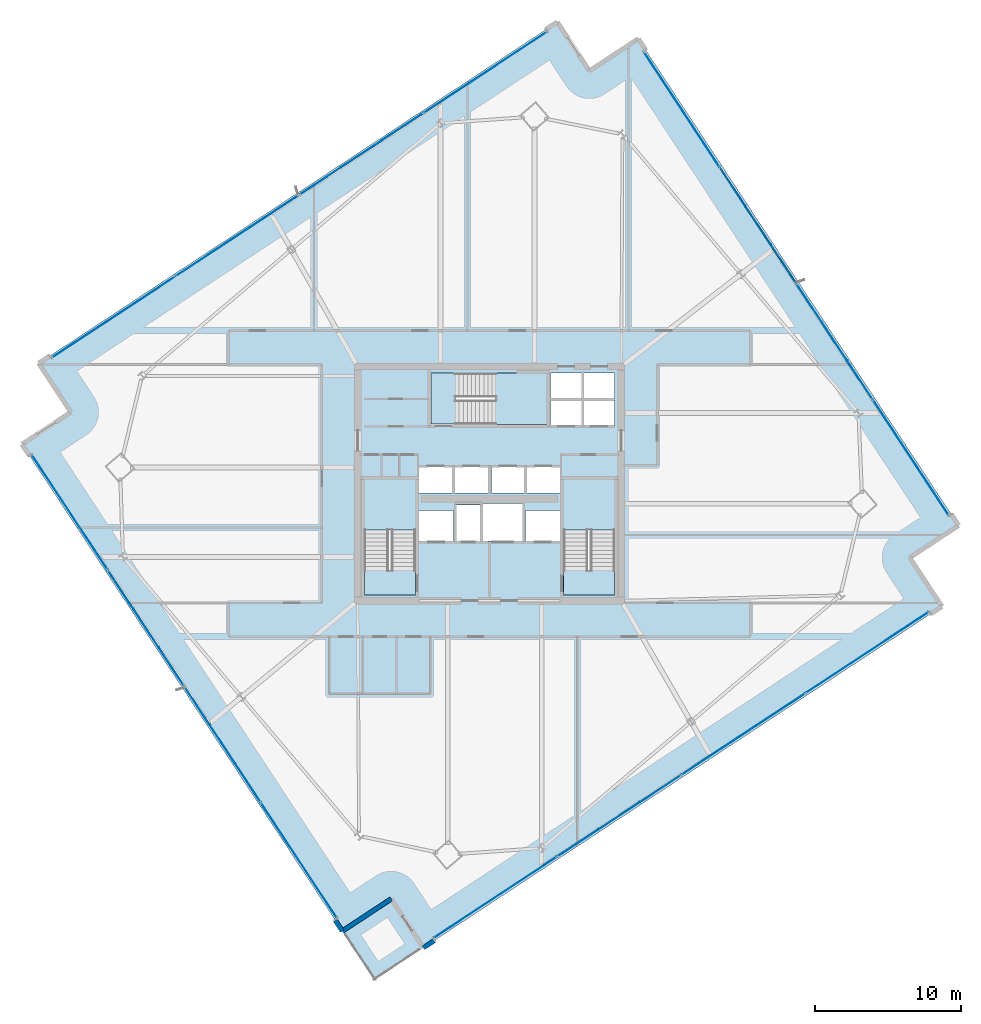
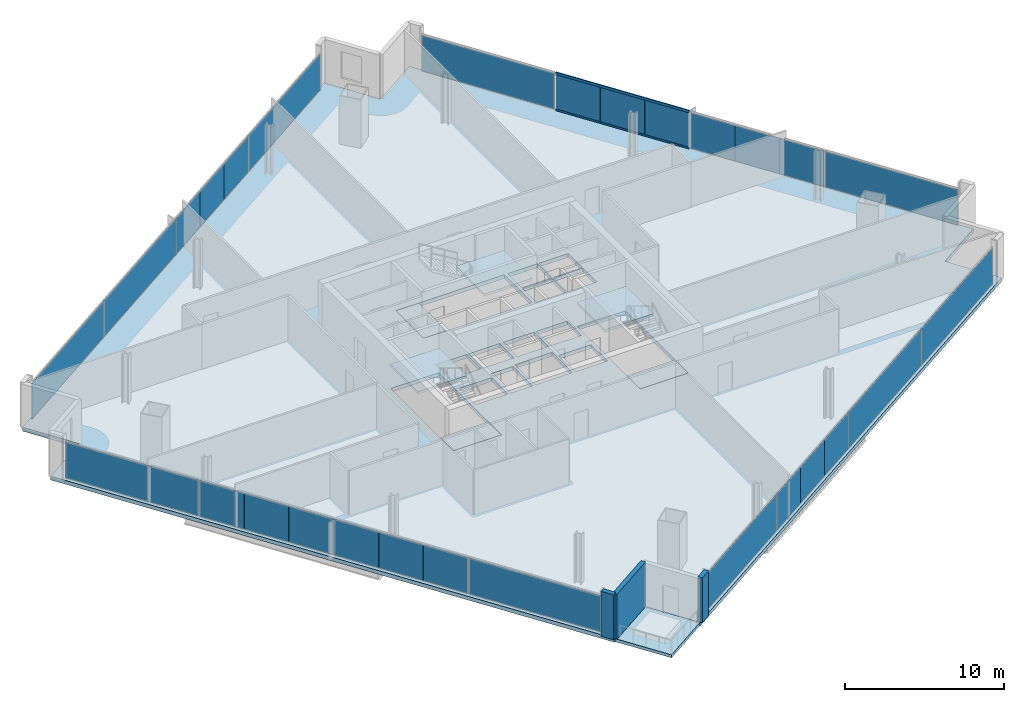
# One storey, part 20 of 29: 28 plates, 8 slabs, 3 walls, 2 members, 7 elements without a shape of their own.
"""IFC4 building model written with IfcOpenShell, lengths in metres."""

from ifc_helpers import new_model, si_unit, direction, frame, frame_2d, origin, origin_2d, place, context, subcontext, project, spatial, polyline, rectangle, hollow_rectangle, outline, extrude, source, transform, mapped, material, layer, layer_set, material_profile, profile_set, type_object, element, aggregate, save


model = new_model("IFC4")

# Units and contexts
model_context = context("Model", 3, precision=1e-05, world=origin(), true_north=direction((0.0, 1.0)))
body_context = subcontext(model_context, "Body", "Model", "MODEL_VIEW")
ifc_project = project(units=[si_unit("LENGTHUNIT", "METRE"), si_unit("AREAUNIT", "SQUARE_METRE"), si_unit("VOLUMEUNIT", "CUBIC_METRE"), si_unit("PLANEANGLEUNIT", "RADIAN"), si_unit("MASSUNIT", "GRAM", prefix="KILO")], contexts=[model_context])

# Site, building, storey
site_placement = place(None, origin())
site = spatial("IfcSite", under=ifc_project, at=site_placement, CompositionType="ELEMENT")
building_placement = place(site_placement, origin())
building = spatial("IfcBuilding", under=site, at=building_placement, Name="Haldenkirk Collegiate Tower", CompositionType="ELEMENT")
storey_placement = place(building_placement, frame((0.0, 0.0, 140.699951171875)))
storey = spatial("IfcBuildingStorey", under=building, at=storey_placement, Name="L34", CompositionType="ELEMENT", Elevation=140.699951171875)

# Curtain wall, members
ifc_material_1 = material(Name="Anodised architectural bronze aluminium", Category="aluminium")
curtain_wall_type_1 = type_object("IfcCurtainWallType", Name="CW-SYS1-CONVEX-LOW", PredefinedType="USERDEFINED", material=ifc_material_1)
curtain_wall_1_placement = place(storey_placement, origin())
curtain_wall_1 = element("IfcCurtainWall", 1, at=curtain_wall_1_placement, inside=storey, type_object=curtain_wall_type_1, Name="L34 Lower tower convex bronze-framed unitised curtain wall", ObjectType="UNITISED CURTAIN WALL", PredefinedType="USERDEFINED")
ifc_material_profile = material_profile(ifc_material_1, hollow_rectangle(XDim=0.080078125, YDim=0.179931640625, WallThickness=0.0048828125, at=origin_2d()), Name="CW-TRN-1A")
ifc_profile_set = profile_set([ifc_material_profile], Name="Anodised architectural bronze aluminium")
member_type = type_object("IfcMemberType", Name="CW-TRN-1A", PredefinedType="USERDEFINED", material=ifc_profile_set)
member_1_placement = place(storey_placement, frame((51.754150390625, 47.573486328125, 0.0400390625), z_axis=(0.549750250423, -0.835329074174, 0.0), x_axis=(0.835329074174, 0.549750250423, 0.0)))
member_1 = element("IfcMember", 2, at=member_1_placement, type_object=member_type, Name="CW-1A transom 2.1", ObjectType="TRANSOM", PredefinedType="USERDEFINED", context=body_context, shape_type="SweptSolid", body=[
    extrude(hollow_rectangle(XDim=0.080078125, YDim=0.179931640625, WallThickness=0.0048828125, at=origin_2d()), origin(), (0.0, 0.0, 1.0), 9.420166015625),
])
member_2_placement = place(storey_placement, frame((51.754150390625, 47.573486328125, 2.87109375), z_axis=(0.549750250423, -0.835329074174, 0.0), x_axis=(0.835329074174, 0.549750250423, 0.0)))
member_2 = element("IfcMember", 3, at=member_2_placement, type_object=member_type, Name="CW-1A transom 2.2", ObjectType="TRANSOM", PredefinedType="USERDEFINED", context=body_context, shape_type="SweptSolid", body=[
    extrude(hollow_rectangle(XDim=0.080078125, YDim=0.179931640625, WallThickness=0.0048828125, at=origin_2d()), origin(), (0.0, 0.0, 1.0), 9.420166015625),
])

# Slab
ifc_material_2 = material(Name="Concrete f'c 40 MPa", Category="concrete")
ifc_layer_1 = layer(ifc_material_2, 0.2900390625)
ifc_layer_set_1 = layer_set([ifc_layer_1], Name="Concrete f'c 40 MPa")
slab_type_1 = type_object("IfcSlabType", Name="SLB-FLR-290", PredefinedType="FLOOR", material=ifc_layer_set_1)
slab_1_placement = place(storey_placement, frame((0.0, 0.0, -0.2900390625)))
element("IfcSlab", 4, at=slab_1_placement, inside=storey, type_object=slab_type_1, Name="L34 composite structural floor slab", PredefinedType="FLOOR", context=body_context, shape_type="SweptSolid", body=[
    extrude(outline(polyline([(31.485107421875, -5.70263671875), (66.903076171875, 17.60693359375), (64.7041015625, 20.9482421875), (68.04541015625, 23.147216796875), (46.165283203125, 56.393310546875), (42.823974609375, 54.194091796875), (40.625, 57.535400390625), (5.20703125, 34.22607421875), (7.406005859375, 30.884765625), (4.064697265625, 28.685791015625), (25.94482421875, -4.560302734375), (29.2861328125, -2.361328125), (31.485107421875, -5.70263671875)]), holes=[polyline([(27.449951171875, 18.39990234375), (30.949951171875, 18.39990234375), (30.949951171875, 26.300048828125), (27.449951171875, 26.300048828125), (27.449951171875, 18.39990234375)]), polyline([(41.050048828125, 18.39990234375), (44.550048828125, 18.39990234375), (44.550048828125, 26.300048828125), (41.050048828125, 26.300048828125), (41.050048828125, 18.39990234375)]), polyline([(32.0, 30.050048828125), (39.89990234375, 30.050048828125), (39.89990234375, 33.550048828125), (32.0, 33.550048828125), (32.0, 30.050048828125)]), polyline([(33.75, 22.10009765625), (35.35009765625, 22.10009765625), (35.35009765625, 24.550048828125), (33.75, 24.550048828125), (33.75, 22.10009765625)]), polyline([(40.14990234375, 29.949951171875), (42.320068359375, 29.949951171875), (42.320068359375, 31.699951171875), (40.14990234375, 31.699951171875), (40.14990234375, 29.949951171875)]), polyline([(42.419921875, 29.949951171875), (44.550048828125, 29.949951171875), (44.550048828125, 31.699951171875), (42.419921875, 31.699951171875), (42.419921875, 29.949951171875)]), polyline([(40.14990234375, 31.800048828125), (42.320068359375, 31.800048828125), (42.320068359375, 33.550048828125), (40.14990234375, 33.550048828125), (40.14990234375, 31.800048828125)]), polyline([(42.419921875, 31.800048828125), (44.550048828125, 31.800048828125), (44.550048828125, 33.550048828125), (42.419921875, 33.550048828125), (42.419921875, 31.800048828125)]), polyline([(31.199951171875, 25.35009765625), (33.47998046875, 25.35009765625), (33.47998046875, 27.14990234375), (31.199951171875, 27.14990234375), (31.199951171875, 25.35009765625)]), polyline([(33.60009765625, 25.35009765625), (35.8798828125, 25.35009765625), (35.8798828125, 27.14990234375), (33.60009765625, 27.14990234375), (33.60009765625, 25.35009765625)]), polyline([(36.1201171875, 25.35009765625), (38.39990234375, 25.35009765625), (38.39990234375, 27.14990234375), (36.1201171875, 27.14990234375), (36.1201171875, 25.35009765625)]), polyline([(38.52001953125, 25.35009765625), (40.800048828125, 25.35009765625), (40.800048828125, 27.14990234375), (38.52001953125, 27.14990234375), (38.52001953125, 25.35009765625)]), polyline([(31.199951171875, 22.10009765625), (33.550048828125, 22.10009765625), (33.550048828125, 24.14990234375), (31.199951171875, 24.14990234375), (31.199951171875, 22.10009765625)]), polyline([(38.449951171875, 22.10009765625), (40.800048828125, 22.10009765625), (40.800048828125, 24.14990234375), (38.449951171875, 24.14990234375), (38.449951171875, 22.10009765625)]), polyline([(35.550048828125, 22.10009765625), (38.25, 22.10009765625), (38.25, 24.64990234375), (35.550048828125, 24.64990234375), (35.550048828125, 22.10009765625)])]), origin(), (0.0, 0.0, 1.0), 0.2900390625),
])

# Stair, slab
stair_type = type_object("IfcStairType", Name="STR-DOGLEG-1650", PredefinedType="HALF_TURN_STAIR", material=ifc_material_2)
stair_1_placement = place(storey_placement, origin())
stair_1 = element("IfcStair", 5, at=stair_1_placement, inside=storey, type_object=stair_type, Name="L34 Core Exit Stair ST-1", PredefinedType="HALF_TURN_STAIR")
ifc_layer_2 = layer(ifc_material_2, 0.199951171875)
ifc_layer_set_2 = layer_set([ifc_layer_2], Name="Concrete f'c 40 MPa")
slab_type_2 = type_object("IfcSlabType", Name="SLB-LANDING-200", PredefinedType="LANDING", material=ifc_layer_set_2)
slab_2_placement = place(storey_placement, frame((0.0, 0.0, 1.675048828125)))
slab_2 = element("IfcSlab", 6, at=slab_2_placement, type_object=slab_type_2, Name="ST-1 landing 1", PredefinedType="LANDING", context=body_context, shape_type="SweptSolid", body=[
    extrude(outline(polyline([(30.97509765625, 22.824951171875), (27.425048828125, 22.824951171875), (27.425048828125, 26.324951171875), (30.97509765625, 26.324951171875), (30.97509765625, 22.824951171875)])), origin(), (0.0, 0.0, 1.0), 0.199951171875),
])
aggregate(stair_1, [slab_2])

stair_2_placement = place(storey_placement, origin())
stair_2 = element("IfcStair", 7, at=stair_2_placement, inside=storey, type_object=stair_type, Name="L34 Core Exit Stair ST-2", PredefinedType="HALF_TURN_STAIR")
slab_3_placement = place(storey_placement, frame((0.0, 0.0, 1.675048828125)))
slab_3 = element("IfcSlab", 8, at=slab_3_placement, type_object=slab_type_2, Name="ST-2 landing 1", PredefinedType="LANDING", context=body_context, shape_type="SweptSolid", body=[
    extrude(outline(polyline([(44.574951171875, 22.824951171875), (41.02490234375, 22.824951171875), (41.02490234375, 26.324951171875), (44.574951171875, 26.324951171875), (44.574951171875, 22.824951171875)])), origin(), (0.0, 0.0, 1.0), 0.199951171875),
])
aggregate(stair_2, [slab_3])

stair_3_placement = place(storey_placement, origin())
stair_3 = element("IfcStair", 9, at=stair_3_placement, inside=storey, type_object=stair_type, Name="L34 Core Exit Stair ST-3", PredefinedType="HALF_TURN_STAIR")
slab_4_placement = place(storey_placement, frame((0.0, 0.0, 1.675048828125)))
slab_4 = element("IfcSlab", 10, at=slab_4_placement, type_object=slab_type_2, Name="ST-3 landing 1", PredefinedType="LANDING", context=body_context, shape_type="SweptSolid", body=[
    extrude(outline(polyline([(36.425048828125, 30.02490234375), (36.425048828125, 33.574951171875), (39.925048828125, 33.574951171875), (39.925048828125, 30.02490234375), (36.425048828125, 30.02490234375)])), origin(), (0.0, 0.0, 1.0), 0.199951171875),
])
aggregate(stair_3, [slab_4])

# Slabs
ifc_layer_3 = layer(ifc_material_2, 0.25)
ifc_layer_set_3 = layer_set([ifc_layer_3], Name="Concrete f'c 40 MPa")
slab_type_3 = type_object("IfcSlabType", Name="SLB-STAIRLAND-250", PredefinedType="LANDING", material=ifc_layer_set_3)
slab_5_placement = place(storey_placement, frame((0.0, 0.0, -0.25)))
element("IfcSlab", 11, at=slab_5_placement, inside=storey, type_object=slab_type_3, Name="L34 stair ST1 structural floor landing slab", PredefinedType="LANDING", context=body_context, shape_type="SweptSolid", body=[
    extrude(outline(polyline([(27.4599609375, 18.409912109375), (30.93994140625, 18.409912109375), (30.93994140625, 20.080078125), (27.4599609375, 20.080078125), (27.4599609375, 18.409912109375)])), origin(), (0.0, 0.0, 1.0), 0.25),
])
slab_6_placement = place(storey_placement, frame((0.0, 0.0, -0.25)))
element("IfcSlab", 12, at=slab_6_placement, inside=storey, type_object=slab_type_3, Name="L34 stair ST2 structural floor landing slab", PredefinedType="LANDING", context=body_context, shape_type="SweptSolid", body=[
    extrude(outline(polyline([(41.06005859375, 18.409912109375), (44.5400390625, 18.409912109375), (44.5400390625, 20.080078125), (41.06005859375, 20.080078125), (41.06005859375, 18.409912109375)])), origin(), (0.0, 0.0, 1.0), 0.25),
])
slab_7_placement = place(storey_placement, frame((0.0, 0.0, -0.25)))
element("IfcSlab", 13, at=slab_7_placement, inside=storey, type_object=slab_type_3, Name="L34 stair ST3 structural floor landing slab", PredefinedType="LANDING", context=body_context, shape_type="SweptSolid", body=[
    extrude(outline(polyline([(32.010009765625, 30.06005859375), (33.679931640625, 30.06005859375), (33.679931640625, 33.5400390625), (32.010009765625, 33.5400390625), (32.010009765625, 30.06005859375)])), origin(), (0.0, 0.0, 1.0), 0.25),
])
ifc_layer_4 = layer(ifc_material_2, 0.22998046875)
ifc_layer_set_4 = layer_set([ifc_layer_4], Name="Concrete f'c 40 MPa")
slab_type_4 = type_object("IfcSlabType", Name="SLB-TERR-SPIRAL-230", PredefinedType="FLOOR", material=ifc_layer_set_4)
slab_8_placement = place(storey_placement, frame((0.0, 0.0, -0.22998046875)))
element("IfcSlab", 14, at=slab_8_placement, inside=storey, type_object=slab_type_4, Name="L34 spiralling corner terrace slab", PredefinedType="FLOOR", context=body_context, shape_type="SweptSolid", body=[
    extrude(outline(polyline([(28.143798828125, -7.901611328125), (31.485107421875, -5.70263671875), (29.2861328125, -2.361328125), (25.94482421875, -4.560302734375), (28.143798828125, -7.901611328125)])), origin(), (0.0, 0.0, 1.0), 0.22998046875),
])

# Curtain wall, plates
curtain_wall_type_2 = type_object("IfcCurtainWallType", Name="CW-SYS2-CONCAVE", PredefinedType="USERDEFINED", material=ifc_material_1)
curtain_wall_2_placement = place(storey_placement, origin())
curtain_wall_2 = element("IfcCurtainWall", 15, at=curtain_wall_2_placement, inside=storey, type_object=curtain_wall_type_2, Name="L34 South concave recessed bronze-anodised curtain wall", ObjectType="UNITISED CURTAIN WALL", PredefinedType="USERDEFINED")
ifc_material_3 = material(Name="Low-E argon triple insulating glass", Category="glass")
ifc_layer_5 = layer(ifc_material_3, 0.0419921875)
ifc_layer_set_5 = layer_set([ifc_layer_5], Name="Low-E argon triple insulating glass")
plate_type_1 = type_object("IfcPlateType", Name="CW-PNL-02", PredefinedType="CURTAIN_PANEL", material=ifc_layer_set_5)
shared_shape_1 = source(origin(), body_context, "Body", "SweptSolid", [
    extrude(rectangle(XDim=10.03759765625, YDim=0.0419921875, at=origin_2d()), origin(), (0.0, 0.0, 1.0), 2.760986328125),
])
plate_1_placement = place(storey_placement, frame((61.79736328125, 14.462158203125, 0.0751953125), z_axis=(0.0, 0.0, 1.0), x_axis=(-0.835328173925, -0.549751618322, 0.0)))
plate_1 = element("IfcPlate", 16, at=plate_1_placement, type_object=plate_type_1, Name="CW-02 panel 1.1", PredefinedType="CURTAIN_PANEL", context=body_context, shape_type="MappedRepresentation", body=[
    mapped(shared_shape_1, transform((0.0, 0.0, 0.0), x_axis=(1.0, 0.0, 0.0), y_axis=(0.0, 1.0, 0.0), z_axis=(0.0, 0.0, 1.0), scale=1.0)),
])
plate_2_placement = place(storey_placement, frame((36.392822265625, -2.257080078125, 0.0751953125), z_axis=(0.0, 0.0, 1.0), x_axis=(-0.835328173925, -0.549751618322, 0.0)))
plate_2 = element("IfcPlate", 17, at=plate_2_placement, type_object=plate_type_1, Name="CW-02 panel 4.1", PredefinedType="CURTAIN_PANEL", context=body_context, shape_type="MappedRepresentation", body=[
    mapped(shared_shape_1, transform((0.0, 0.0, 0.0), x_axis=(1.0, 0.0, 0.0), y_axis=(0.0, 1.0, 0.0), z_axis=(0.0, 0.0, 1.0), scale=1.0)),
])
shared_shape_2 = source(origin(), body_context, "Body", "SweptSolid", [
    extrude(rectangle(XDim=10.074951171875, YDim=0.0419921875, at=origin_2d()), origin(), (0.0, 0.0, 1.0), 2.760986328125),
])
plate_3_placement = place(storey_placement, frame((53.334228515625, 8.892578125, 0.0751953125), z_axis=(0.0, 0.0, 1.0), x_axis=(-0.835328173925, -0.549751618322, 0.0)))
plate_3 = element("IfcPlate", 18, at=plate_3_placement, type_object=plate_type_1, Name="CW-02 panel 2.1", PredefinedType="CURTAIN_PANEL", context=body_context, shape_type="MappedRepresentation", body=[
    mapped(shared_shape_2, transform((0.0, 0.0, 0.0), x_axis=(1.0, 0.0, 0.0), y_axis=(0.0, 1.0, 0.0), z_axis=(0.0, 0.0, 1.0), scale=1.0)),
])
ifc_material_4 = material(Name="Bronze-anodised insulated aluminium spandrel panel", Category="aluminium")
ifc_layer_6 = layer(ifc_material_4, 0.0419921875)
ifc_layer_set_6 = layer_set([ifc_layer_6], Name="Bronze-anodised insulated aluminium spandrel panel")
plate_type_2 = type_object("IfcPlateType", Name="CW-SPD-02", PredefinedType="CURTAIN_PANEL", material=ifc_layer_set_6)
shared_shape_3 = source(origin(), body_context, "Body", "SweptSolid", [
    extrude(rectangle(XDim=3.345703125, YDim=0.0419921875, at=origin_2d()), origin(), (0.0, 0.0, 1.0), 2.760986328125),
])
plate_4_placement = place(storey_placement, frame((47.666259765625, 5.162109375, 0.0751953125), z_axis=(0.0, 0.0, 1.0), x_axis=(-0.835328173925, -0.549751618322, 0.0)))
plate_4 = element("IfcPlate", 19, at=plate_4_placement, type_object=plate_type_2, Name="CW-02 spandrel panel 3.1a", PredefinedType="CURTAIN_PANEL", context=body_context, shape_type="MappedRepresentation", body=[
    mapped(shared_shape_3, transform((0.0, 0.0, 0.0), x_axis=(1.0, 0.0, 0.0), y_axis=(0.0, 1.0, 0.0), z_axis=(0.0, 0.0, 1.0), scale=1.0)),
])
plate_5_placement = place(storey_placement, frame((42.045166015625, 1.462890625, 0.0751953125), z_axis=(0.0, 0.0, 1.0), x_axis=(-0.835328173925, -0.549751618322, 0.0)))
plate_5 = element("IfcPlate", 20, at=plate_5_placement, type_object=plate_type_2, Name="CW-02 spandrel panel 3.1c", PredefinedType="CURTAIN_PANEL", context=body_context, shape_type="MappedRepresentation", body=[
    mapped(shared_shape_3, transform((0.0, 0.0, 0.0), x_axis=(1.0, 0.0, 0.0), y_axis=(0.0, 1.0, 0.0), z_axis=(0.0, 0.0, 1.0), scale=1.0)),
])
shared_shape_4 = source(origin(), body_context, "Body", "SweptSolid", [
    extrude(rectangle(XDim=3.333251953125, YDim=0.0419921875, at=origin_2d()), origin(), (0.0, 0.0, 1.0), 2.760986328125),
])
plate_6_placement = place(storey_placement, frame((44.855712890625, 3.3125, 0.0751953125), z_axis=(0.0, 0.0, 1.0), x_axis=(-0.835328173925, -0.549751618322, 0.0)))
plate_6 = element("IfcPlate", 21, at=plate_6_placement, type_object=plate_type_2, Name="CW-02 spandrel panel 3.1b", PredefinedType="CURTAIN_PANEL", context=body_context, shape_type="MappedRepresentation", body=[
    mapped(shared_shape_4, transform((0.0, 0.0, 0.0), x_axis=(1.0, 0.0, 0.0), y_axis=(0.0, 1.0, 0.0), z_axis=(0.0, 0.0, 1.0), scale=1.0)),
])
aggregate(curtain_wall_2, [plate_1, plate_3, plate_4, plate_6, plate_5, plate_2])

# Plate
ifc_layer_7 = layer(ifc_material_3, 0.0439453125)
ifc_layer_set_7 = layer_set([ifc_layer_7], Name="Low-E argon triple insulating glass")
plate_type_3 = type_object("IfcPlateType", Name="CW-PNL-1A", PredefinedType="CURTAIN_PANEL", material=ifc_layer_set_7)
shared_shape_5 = source(origin(), body_context, "Body", "SweptSolid", [
    extrude(rectangle(XDim=9.3798828125, YDim=0.0439453125, at=origin_2d()), origin(), (0.0, 0.0, 1.0), 2.7509765625),
])
plate_7_placement = place(storey_placement, frame((49.1318359375, 51.557861328125, 0.080078125), z_axis=(0.0, 0.0, 1.0), x_axis=(0.549751342395, -0.835328355519, 0.0)))
plate_7 = element("IfcPlate", 22, at=plate_7_placement, type_object=plate_type_3, Name="CW-1A panel 1.1", PredefinedType="CURTAIN_PANEL", context=body_context, shape_type="MappedRepresentation", body=[
    mapped(shared_shape_5, transform((0.0, 0.0, 0.0), x_axis=(1.0, 0.0, 0.0), y_axis=(0.0, 1.0, 0.0), z_axis=(0.0, 0.0, 1.0), scale=1.0)),
])

plate_8_placement = place(storey_placement, frame((64.77783203125, 27.784423828125, 0.080078125), z_axis=(0.0, 0.0, 1.0), x_axis=(0.549751342395, -0.835328355519, 0.0)))
plate_8 = element("IfcPlate", 23, at=plate_8_placement, type_object=plate_type_3, Name="CW-1A panel 4.1", PredefinedType="CURTAIN_PANEL", context=body_context, shape_type="MappedRepresentation", body=[
    mapped(shared_shape_5, transform((0.0, 0.0, 0.0), x_axis=(1.0, 0.0, 0.0), y_axis=(0.0, 1.0, 0.0), z_axis=(0.0, 0.0, 1.0), scale=1.0)),
])

# Curtain wall, plates
curtain_wall_3_placement = place(storey_placement, origin())
curtain_wall_3 = element("IfcCurtainWall", 24, at=curtain_wall_3_placement, inside=storey, type_object=curtain_wall_type_1, Name="L34 Lower tower convex bronze-framed unitised curtain wall", ObjectType="UNITISED CURTAIN WALL", PredefinedType="USERDEFINED")
plate_9_placement = place(storey_placement, frame((22.97802734375, 0.27490234375, 0.080078125), z_axis=(0.0, 0.0, 1.0), x_axis=(-0.549753178648, 0.835327147031, 0.0)))
plate_9 = element("IfcPlate", 25, at=plate_9_placement, type_object=plate_type_3, Name="CW-1A panel 1.1", PredefinedType="CURTAIN_PANEL", context=body_context, shape_type="MappedRepresentation", body=[
    mapped(shared_shape_5, transform((0.0, 0.0, 0.0), x_axis=(1.0, 0.0, 0.0), y_axis=(0.0, 1.0, 0.0), z_axis=(0.0, 0.0, 1.0), scale=1.0)),
])
plate_10_placement = place(storey_placement, frame((7.33203125, 24.04833984375, 0.080078125), z_axis=(0.0, 0.0, 1.0), x_axis=(-0.549753178648, 0.835327147031, 0.0)))
plate_10 = element("IfcPlate", 26, at=plate_10_placement, type_object=plate_type_3, Name="CW-1A panel 4.1", PredefinedType="CURTAIN_PANEL", context=body_context, shape_type="MappedRepresentation", body=[
    mapped(shared_shape_5, transform((0.0, 0.0, 0.0), x_axis=(1.0, 0.0, 0.0), y_axis=(0.0, 1.0, 0.0), z_axis=(0.0, 0.0, 1.0), scale=1.0)),
])

# Plate
shared_shape_6 = source(origin(), body_context, "Body", "SweptSolid", [
    extrude(rectangle(XDim=3.12744140625, YDim=0.0439453125, at=origin_2d()), origin(), (0.0, 0.0, 1.0), 2.7509765625),
])
plate_11_placement = place(storey_placement, frame((52.614013671875, 46.26708984375, 0.080078125), z_axis=(0.0, 0.0, 1.0), x_axis=(0.549751342395, -0.835328355519, 0.0)))
plate_11 = element("IfcPlate", 27, at=plate_11_placement, type_object=plate_type_3, Name="CW-1A panel 2.1a", PredefinedType="CURTAIN_PANEL", context=body_context, shape_type="MappedRepresentation", body=[
    mapped(shared_shape_6, transform((0.0, 0.0, 0.0), x_axis=(1.0, 0.0, 0.0), y_axis=(0.0, 1.0, 0.0), z_axis=(0.0, 0.0, 1.0), scale=1.0)),
])

ifc_layer_8 = layer(ifc_material_4, 0.0439453125)
ifc_layer_set_8 = layer_set([ifc_layer_8], Name="Bronze-anodised insulated aluminium spandrel panel")
plate_type_4 = type_object("IfcPlateType", Name="CW-SPD-1A", PredefinedType="CURTAIN_PANEL", material=ifc_layer_set_8)
plate_12_placement = place(storey_placement, frame((56.0732421875, 41.010986328125, 0.080078125), z_axis=(0.0, 0.0, 1.0), x_axis=(0.549751342395, -0.835328355519, 0.0)))
plate_12 = element("IfcPlate", 28, at=plate_12_placement, type_object=plate_type_4, Name="CW-1A spandrel panel 2.1c", PredefinedType="CURTAIN_PANEL", context=body_context, shape_type="MappedRepresentation", body=[
    mapped(shared_shape_6, transform((0.0, 0.0, 0.0), x_axis=(1.0, 0.0, 0.0), y_axis=(0.0, 1.0, 0.0), z_axis=(0.0, 0.0, 1.0), scale=1.0)),
])

plate_13_placement = place(storey_placement, frame((57.83642578125, 38.33154296875, 0.080078125), z_axis=(0.0, 0.0, 1.0), x_axis=(0.549751342395, -0.835328355519, 0.0)))
plate_13 = element("IfcPlate", 29, at=plate_13_placement, type_object=plate_type_4, Name="CW-1A spandrel panel 3.1a", PredefinedType="CURTAIN_PANEL", context=body_context, shape_type="MappedRepresentation", body=[
    mapped(shared_shape_6, transform((0.0, 0.0, 0.0), x_axis=(1.0, 0.0, 0.0), y_axis=(0.0, 1.0, 0.0), z_axis=(0.0, 0.0, 1.0), scale=1.0)),
])

plate_14_placement = place(storey_placement, frame((61.2958984375, 33.0751953125, 0.080078125), z_axis=(0.0, 0.0, 1.0), x_axis=(0.549751342395, -0.835328355519, 0.0)))
plate_14 = element("IfcPlate", 30, at=plate_14_placement, type_object=plate_type_4, Name="CW-1A spandrel panel 3.1c", PredefinedType="CURTAIN_PANEL", context=body_context, shape_type="MappedRepresentation", body=[
    mapped(shared_shape_6, transform((0.0, 0.0, 0.0), x_axis=(1.0, 0.0, 0.0), y_axis=(0.0, 1.0, 0.0), z_axis=(0.0, 0.0, 1.0), scale=1.0)),
])

plate_15_placement = place(storey_placement, frame((19.49609375, 5.56591796875, 0.080078125), z_axis=(0.0, 0.0, 1.0), x_axis=(-0.549753178648, 0.835327147031, 0.0)))
plate_15 = element("IfcPlate", 31, at=plate_15_placement, type_object=plate_type_3, Name="CW-1A panel 2.1a", PredefinedType="CURTAIN_PANEL", context=body_context, shape_type="MappedRepresentation", body=[
    mapped(shared_shape_6, transform((0.0, 0.0, 0.0), x_axis=(1.0, 0.0, 0.0), y_axis=(0.0, 1.0, 0.0), z_axis=(0.0, 0.0, 1.0), scale=1.0)),
])

plate_16_placement = place(storey_placement, frame((16.036865234375, 10.822021484375, 0.080078125), z_axis=(0.0, 0.0, 1.0), x_axis=(-0.549753178648, 0.835327147031, 0.0)))
plate_16 = element("IfcPlate", 32, at=plate_16_placement, type_object=plate_type_4, Name="CW-1A spandrel panel 2.1c", PredefinedType="CURTAIN_PANEL", context=body_context, shape_type="MappedRepresentation", body=[
    mapped(shared_shape_6, transform((0.0, 0.0, 0.0), x_axis=(1.0, 0.0, 0.0), y_axis=(0.0, 1.0, 0.0), z_axis=(0.0, 0.0, 1.0), scale=1.0)),
])

plate_17_placement = place(storey_placement, frame((14.2734375, 13.50146484375, 0.080078125), z_axis=(0.0, 0.0, 1.0), x_axis=(-0.549753178648, 0.835327147031, 0.0)))
plate_17 = element("IfcPlate", 33, at=plate_17_placement, type_object=plate_type_4, Name="CW-1A spandrel panel 3.1a", PredefinedType="CURTAIN_PANEL", context=body_context, shape_type="MappedRepresentation", body=[
    mapped(shared_shape_6, transform((0.0, 0.0, 0.0), x_axis=(1.0, 0.0, 0.0), y_axis=(0.0, 1.0, 0.0), z_axis=(0.0, 0.0, 1.0), scale=1.0)),
])

plate_18_placement = place(storey_placement, frame((10.814208984375, 18.757568359375, 0.080078125), z_axis=(0.0, 0.0, 1.0), x_axis=(-0.549753178648, 0.835327147031, 0.0)))
plate_18 = element("IfcPlate", 34, at=plate_18_placement, type_object=plate_type_4, Name="CW-1A spandrel panel 3.1c", PredefinedType="CURTAIN_PANEL", context=body_context, shape_type="MappedRepresentation", body=[
    mapped(shared_shape_6, transform((0.0, 0.0, 0.0), x_axis=(1.0, 0.0, 0.0), y_axis=(0.0, 1.0, 0.0), z_axis=(0.0, 0.0, 1.0), scale=1.0)),
])

shared_shape_7 = source(origin(), body_context, "Body", "SweptSolid", [
    extrude(rectangle(XDim=3.114990234375, YDim=0.0439453125, at=origin_2d()), origin(), (0.0, 0.0, 1.0), 2.7509765625),
])
plate_19_placement = place(storey_placement, frame((54.343505859375, 43.638916015625, 0.080078125), z_axis=(0.0, 0.0, 1.0), x_axis=(0.549751342395, -0.835328355519, 0.0)))
plate_19 = element("IfcPlate", 35, at=plate_19_placement, type_object=plate_type_3, Name="CW-1A panel 2.1b", PredefinedType="CURTAIN_PANEL", context=body_context, shape_type="MappedRepresentation", body=[
    mapped(shared_shape_7, transform((0.0, 0.0, 0.0), x_axis=(1.0, 0.0, 0.0), y_axis=(0.0, 1.0, 0.0), z_axis=(0.0, 0.0, 1.0), scale=1.0)),
])

plate_20_placement = place(storey_placement, frame((59.566162109375, 35.703369140625, 0.080078125), z_axis=(0.0, 0.0, 1.0), x_axis=(0.549751342395, -0.835328355519, 0.0)))
plate_20 = element("IfcPlate", 36, at=plate_20_placement, type_object=plate_type_4, Name="CW-1A spandrel panel 3.1b", PredefinedType="CURTAIN_PANEL", context=body_context, shape_type="MappedRepresentation", body=[
    mapped(shared_shape_7, transform((0.0, 0.0, 0.0), x_axis=(1.0, 0.0, 0.0), y_axis=(0.0, 1.0, 0.0), z_axis=(0.0, 0.0, 1.0), scale=1.0)),
])

aggregate(curtain_wall_1, [plate_7, member_1, member_2, plate_11, plate_19, plate_12, plate_13, plate_20, plate_14, plate_8])

plate_21_placement = place(storey_placement, frame((17.766357421875, 8.19384765625, 0.080078125), z_axis=(0.0, 0.0, 1.0), x_axis=(-0.549753178648, 0.835327147031, 0.0)))
plate_21 = element("IfcPlate", 37, at=plate_21_placement, type_object=plate_type_3, Name="CW-1A panel 2.1b", PredefinedType="CURTAIN_PANEL", context=body_context, shape_type="MappedRepresentation", body=[
    mapped(shared_shape_7, transform((0.0, 0.0, 0.0), x_axis=(1.0, 0.0, 0.0), y_axis=(0.0, 1.0, 0.0), z_axis=(0.0, 0.0, 1.0), scale=1.0)),
])

plate_22_placement = place(storey_placement, frame((12.543701171875, 16.12939453125, 0.080078125), z_axis=(0.0, 0.0, 1.0), x_axis=(-0.549753178648, 0.835327147031, 0.0)))
plate_22 = element("IfcPlate", 38, at=plate_22_placement, type_object=plate_type_4, Name="CW-1A spandrel panel 3.1b", PredefinedType="CURTAIN_PANEL", context=body_context, shape_type="MappedRepresentation", body=[
    mapped(shared_shape_7, transform((0.0, 0.0, 0.0), x_axis=(1.0, 0.0, 0.0), y_axis=(0.0, 1.0, 0.0), z_axis=(0.0, 0.0, 1.0), scale=1.0)),
])

aggregate(curtain_wall_3, [plate_9, plate_15, plate_21, plate_16, plate_17, plate_22, plate_18, plate_10])

# Curtain wall, plates
curtain_wall_4_placement = place(storey_placement, origin())
curtain_wall_4 = element("IfcCurtainWall", 39, at=curtain_wall_4_placement, inside=storey, type_object=curtain_wall_type_1, Name="L34 Lower tower convex bronze-framed unitised curtain wall", ObjectType="UNITISED CURTAIN WALL", PredefinedType="USERDEFINED")
shared_shape_8 = source(origin(), body_context, "Body", "SweptSolid", [
    extrude(rectangle(XDim=10.030029296875, YDim=0.0439453125, at=origin_2d()), origin(), (0.0, 0.0, 1.0), 2.7509765625),
])
plate_23_placement = place(storey_placement, frame((10.313720703125, 37.37158203125, 0.080078125), z_axis=(0.0, 0.0, 1.0), x_axis=(0.835329305017, 0.549749899663, 0.0)))
plate_23 = element("IfcPlate", 40, at=plate_23_placement, type_object=plate_type_3, Name="CW-1A panel 1.1", PredefinedType="CURTAIN_PANEL", context=body_context, shape_type="MappedRepresentation", body=[
    mapped(shared_shape_8, transform((0.0, 0.0, 0.0), x_axis=(1.0, 0.0, 0.0), y_axis=(0.0, 1.0, 0.0), z_axis=(0.0, 0.0, 1.0), scale=1.0)),
])
plate_24_placement = place(storey_placement, frame((35.716064453125, 54.08935546875, 0.080078125), z_axis=(0.0, 0.0, 1.0), x_axis=(0.835329305017, 0.549749899663, 0.0)))
plate_24 = element("IfcPlate", 41, at=plate_24_placement, type_object=plate_type_3, Name="CW-1A panel 4.1", PredefinedType="CURTAIN_PANEL", context=body_context, shape_type="MappedRepresentation", body=[
    mapped(shared_shape_8, transform((0.0, 0.0, 0.0), x_axis=(1.0, 0.0, 0.0), y_axis=(0.0, 1.0, 0.0), z_axis=(0.0, 0.0, 1.0), scale=1.0)),
])
shared_shape_9 = source(origin(), body_context, "Body", "SweptSolid", [
    extrude(rectangle(XDim=10.070068359375, YDim=0.0439453125, at=origin_2d()), origin(), (0.0, 0.0, 1.0), 2.7509765625),
])
plate_25_placement = place(storey_placement, frame((18.775634765625, 42.9404296875, 0.080078125), z_axis=(0.0, 0.0, 1.0), x_axis=(0.835329305017, 0.549749899663, 0.0)))
plate_25 = element("IfcPlate", 42, at=plate_25_placement, type_object=plate_type_3, Name="CW-1A panel 2.1", PredefinedType="CURTAIN_PANEL", context=body_context, shape_type="MappedRepresentation", body=[
    mapped(shared_shape_9, transform((0.0, 0.0, 0.0), x_axis=(1.0, 0.0, 0.0), y_axis=(0.0, 1.0, 0.0), z_axis=(0.0, 0.0, 1.0), scale=1.0)),
])
shared_shape_10 = source(origin(), body_context, "Body", "SweptSolid", [
    extrude(rectangle(XDim=3.34423828125, YDim=0.0439453125, at=origin_2d()), origin(), (0.0, 0.0, 1.0), 2.7509765625),
])
plate_26_placement = place(storey_placement, frame((24.445068359375, 46.671630859375, 0.080078125), z_axis=(0.0, 0.0, 1.0), x_axis=(0.835329305017, 0.549749899663, 0.0)))
plate_26 = element("IfcPlate", 43, at=plate_26_placement, type_object=plate_type_4, Name="CW-1A spandrel panel 3.1a", PredefinedType="CURTAIN_PANEL", context=body_context, shape_type="MappedRepresentation", body=[
    mapped(shared_shape_10, transform((0.0, 0.0, 0.0), x_axis=(1.0, 0.0, 0.0), y_axis=(0.0, 1.0, 0.0), z_axis=(0.0, 0.0, 1.0), scale=1.0)),
])
plate_27_placement = place(storey_placement, frame((30.0634765625, 50.369140625, 0.080078125), z_axis=(0.0, 0.0, 1.0), x_axis=(0.835329305017, 0.549749899663, 0.0)))
plate_27 = element("IfcPlate", 44, at=plate_27_placement, type_object=plate_type_4, Name="CW-1A spandrel panel 3.1c", PredefinedType="CURTAIN_PANEL", context=body_context, shape_type="MappedRepresentation", body=[
    mapped(shared_shape_10, transform((0.0, 0.0, 0.0), x_axis=(1.0, 0.0, 0.0), y_axis=(0.0, 1.0, 0.0), z_axis=(0.0, 0.0, 1.0), scale=1.0)),
])
shared_shape_11 = source(origin(), body_context, "Body", "SweptSolid", [
    extrude(rectangle(XDim=3.331787109375, YDim=0.0439453125, at=origin_2d()), origin(), (0.0, 0.0, 1.0), 2.7509765625),
])
plate_28_placement = place(storey_placement, frame((27.254150390625, 48.5205078125, 0.080078125), z_axis=(0.0, 0.0, 1.0), x_axis=(0.835329305017, 0.549749899663, 0.0)))
plate_28 = element("IfcPlate", 45, at=plate_28_placement, type_object=plate_type_4, Name="CW-1A spandrel panel 3.1b", PredefinedType="CURTAIN_PANEL", context=body_context, shape_type="MappedRepresentation", body=[
    mapped(shared_shape_11, transform((0.0, 0.0, 0.0), x_axis=(1.0, 0.0, 0.0), y_axis=(0.0, 1.0, 0.0), z_axis=(0.0, 0.0, 1.0), scale=1.0)),
])
aggregate(curtain_wall_4, [plate_23, plate_25, plate_26, plate_28, plate_27, plate_24])

# Walls
ifc_material_5 = material(Name="Precast concrete f'c 40 MPa", Category="concrete")
ifc_layer_9 = layer(ifc_material_5, 0.320068359375)
ifc_layer_set_9 = layer_set([ifc_layer_9], Name="Precast concrete f'c 40 MPa")
wall_type = type_object("IfcWallType", Name="WL-EXT-TWR-320", PredefinedType="STANDARD", material=ifc_layer_set_9)
for number, where, z_axis, x_axis, name in (
    (46, (32.23681640625, -5.207763671875, 0.0), (0.0, 0.0, 1.0), (-0.83524987434, -0.549870573331, 0.0), "L34 precast corner pier SR"),
    (47, (25.94482421875, -4.560302734375, 0.0), (0.0, 0.0, 1.0), (-0.549870573331, 0.83524987434, 0.0), "L34 precast corner pier WL"),
):
    element("IfcWall", number, at=place(storey_placement, frame(where, z_axis=z_axis, x_axis=x_axis)), inside=storey, type_object=wall_type, Name=name, PredefinedType="STANDARD", context=body_context, shape_type="SweptSolid", body=[
        extrude(rectangle(XDim=0.89990234375, YDim=0.320068359375, at=frame_2d((0.449951171875, 0.0))), origin(), (0.0, 0.0, 1.0), 3.4599609375),
    ])
wall_placement = place(storey_placement, frame((29.2861328125, -2.361328125, 0.0), z_axis=(0.0, 0.0, 1.0), x_axis=(-0.835331522158, -0.549746530767, 0.0)))
element("IfcWall", 48, at=wall_placement, inside=storey, type_object=wall_type, Name="L34 bronze precast notch wall 11", PredefinedType="STANDARD", context=body_context, shape_type="SweptSolid", body=[
    extrude(rectangle(XDim=4.0, YDim=0.320068359375, at=frame_2d((2.0, 0.0))), origin(), (0.0, 0.0, 1.0), 3.4599609375),
])

save(model, "model.ifc")
